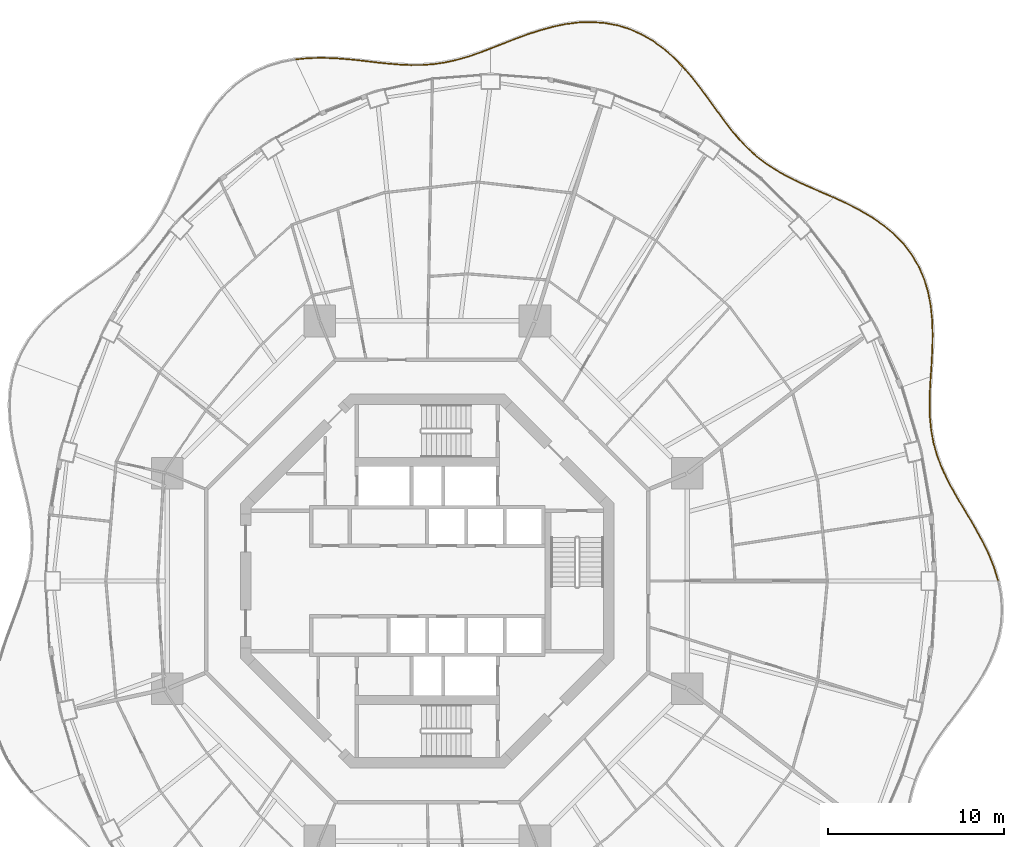
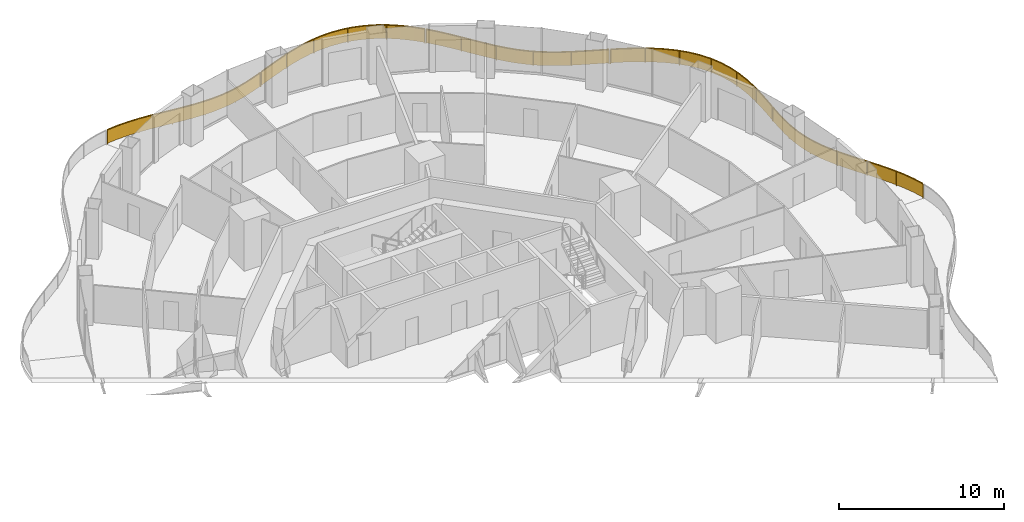
# One storey, part 19 of 19: 5 railings.
"""IFC4 building model written with IfcOpenShell, lengths in metres."""

from ifc_helpers import new_model, si_unit, direction, frame, origin, origin_2d, place, context, subcontext, project, spatial, polyline, rectangle, outline, extrude, material, type_object, element, save


model = new_model("IFC4")

# Units and contexts
model_context = context("Model", 3, precision=1e-05, world=origin(), true_north=direction((0.0, 1.0)))
body_context = subcontext(model_context, "Body", "Model", "MODEL_VIEW")
ifc_project = project(units=[si_unit("LENGTHUNIT", "METRE"), si_unit("AREAUNIT", "SQUARE_METRE"), si_unit("VOLUMEUNIT", "CUBIC_METRE"), si_unit("PLANEANGLEUNIT", "RADIAN"), si_unit("MASSUNIT", "GRAM", prefix="KILO")], contexts=[model_context])

# Site, building, storey
site_placement = place(None, origin())
site = spatial("IfcSite", under=ifc_project, at=site_placement, CompositionType="ELEMENT")
building_placement = place(site_placement, origin())
building = spatial("IfcBuilding", under=site, at=building_placement, Name="Nagisa Residences", CompositionType="ELEMENT")
storey_placement = place(building_placement, frame((0.0, 0.0, 180.699951171875)))
storey = spatial("IfcBuildingStorey", under=building, at=storey_placement, Name="L45", CompositionType="ELEMENT", Elevation=180.699951171875)

# Railings
ifc_material = material(Name="Stainless steel 316", Category="steel")
railing_type = type_object("IfcRailingType", Name="BALCONY GUARD 1100", PredefinedType="BALUSTRADE", material=ifc_material)
railing_1_placement = place(storey_placement, frame((32.43701171875, 0.037109375, 0.0)))
element("IfcRailing", 1, at=railing_1_placement, inside=storey, type_object=railing_type, Name="guard:L45:bal00-0", PredefinedType="BALUSTRADE", context=body_context, shape_type="SweptSolid", body=[
    extrude(outline(polyline([(-0.248046875, 0.724365234375), (-0.02392578125, -0.00732421875), (0.02392578125, 0.00732421875), (-0.20068359375, 0.740966796875), (-0.50927734375, 1.50732421875), (-0.87353515625, 2.257568359375), (-1.275146484375, 2.99072265625), (-1.695068359375, 3.70703125), (-2.112060546875, 4.39404296875), (-2.511474609375, 5.08349609375), (-2.875244140625, 5.765869140625), (-3.190673828125, 6.446533203125), (-3.448486328125, 7.131591796875), (-3.639892578125, 7.8134765625), (-3.771240234375, 8.524658203125), (-3.84326171875, 9.256103515625), (-3.863525390625, 10.010498046875), (-3.8447265625, 10.788818359375), (-3.8017578125, 11.54541015625), (-3.8515625, 11.54833984375), (-3.89453125, 10.790771484375), (-3.913818359375, 10.010498046875), (-3.89306640625, 9.253173828125), (-3.821044921875, 8.517822265625), (-3.688720703125, 7.80224609375), (-3.495849609375, 7.115966796875), (-3.237060546875, 6.427001953125), (-2.920166015625, 5.743408203125), (-2.555419921875, 5.05908203125), (-2.155029296875, 4.36865234375), (-1.738037109375, 3.68115234375), (-1.318603515625, 2.9658203125), (-0.91796875, 2.234619140625), (-0.55517578125, 1.48681640625), (-0.248046875, 0.724365234375)])), frame((0.0, 0.0, 1.050048828125)), (0.0, 0.0, 1.0), 0.050048828125),
    extrude(outline(polyline([(-0.23095703125, 0.730224609375), (-0.006591796875, -0.001953125), (0.006591796875, 0.001953125), (-0.2177734375, 0.735107421875), (-0.52587890625, 1.5), (-0.8896484375, 2.249267578125), (-1.290771484375, 2.981689453125), (-1.71044921875, 3.69775390625), (-2.12744140625, 4.385009765625), (-2.52734375, 5.07470703125), (-2.891357421875, 5.7578125), (-3.20751953125, 6.439453125), (-3.465576171875, 7.1259765625), (-3.657470703125, 7.809326171875), (-3.789306640625, 8.522216796875), (-3.861083984375, 9.255126953125), (-3.881591796875, 10.010498046875), (-3.862548828125, 10.78955078125), (-3.819580078125, 11.54638671875), (-3.833740234375, 11.54736328125), (-3.876708984375, 10.7900390625), (-3.895751953125, 10.010498046875), (-3.875244140625, 9.254150390625), (-3.802978515625, 8.520263671875), (-3.671142578125, 7.806396484375), (-3.478759765625, 7.12158203125), (-3.22021484375, 6.43408203125), (-2.904052734375, 5.75146484375), (-2.53955078125, 5.06787109375), (-2.1396484375, 4.377685546875), (-1.72265625, 3.6904296875), (-1.302978515625, 2.974853515625), (-0.90185546875, 2.242919921875), (-0.53857421875, 1.494140625), (-0.23095703125, 0.730224609375)])), frame((0.0, 0.0, 0.06005859375)), (0.0, 0.0, 1.0), 0.989990234375),
    extrude(rectangle(XDim=0.0400390625, YDim=0.0400390625, at=origin_2d()), origin(), (0.0, 0.0, 1.0), 1.050048828125),
    extrude(rectangle(XDim=0.0400390625, YDim=0.0400390625, at=origin_2d()), frame((-0.741455078125, 1.927978515625, 0.0)), (0.0, 0.0, 1.0), 1.050048828125),
    extrude(rectangle(XDim=0.0400390625, YDim=0.0400390625, at=origin_2d()), frame((-1.7431640625, 3.73779296875, 0.0)), (0.0, 0.0, 1.0), 1.050048828125),
    extrude(rectangle(XDim=0.0400390625, YDim=0.0400390625, at=origin_2d()), frame((-2.777587890625, 5.529296875, 0.0)), (0.0, 0.0, 1.0), 1.050048828125),
    extrude(rectangle(XDim=0.0400390625, YDim=0.0400390625, at=origin_2d()), frame((-3.56103515625, 7.439697265625, 0.0)), (0.0, 0.0, 1.0), 1.050048828125),
    extrude(rectangle(XDim=0.0400390625, YDim=0.0400390625, at=origin_2d()), frame((-3.874267578125, 9.479248046875, 0.0)), (0.0, 0.0, 1.0), 1.050048828125),
    extrude(rectangle(XDim=0.0400390625, YDim=0.0400390625, at=origin_2d()), frame((-3.82666015625, 11.546875, 0.0)), (0.0, 0.0, 1.0), 1.050048828125),
])
railing_2_placement = place(storey_placement, frame((28.616943359375, 11.6591796875, 0.0)))
element("IfcRailing", 2, at=railing_2_placement, inside=storey, type_object=railing_type, Name="guard:L45:bal01-0", PredefinedType="BALUSTRADE", context=body_context, shape_type="SweptSolid", body=[
    extrude(outline(polyline([(0.024169921875, 0.75146484375), (-0.02490234375, 0.001708984375), (0.02490234375, -0.001708984375), (0.073974609375, 0.74853515625), (0.11474609375, 1.5556640625), (0.129638671875, 2.369140625), (0.1025390625, 3.180908203125), (0.02001953125, 3.98193359375), (-0.123779296875, 4.75), (-0.3505859375, 5.502197265625), (-0.658203125, 6.216552734375), (-1.048828125, 6.886474609375), (-1.51953125, 7.506103515625), (-2.056884765625, 8.060791015625), (-2.666259765625, 8.572265625), (-3.330078125, 9.032470703125), (-4.03369140625, 9.446044921875), (-4.76318359375, 9.819580078125), (-5.463623046875, 10.141357421875), (-5.484619140625, 10.095947265625), (-4.78515625, 9.774658203125), (-4.0576171875, 9.402099609375), (-3.35693359375, 8.990478515625), (-2.696533203125, 8.5322265625), (-2.091064453125, 8.024169921875), (-1.5576171875, 7.473388671875), (-1.09033203125, 6.858642578125), (-0.703125, 6.194091796875), (-0.3974609375, 5.485107421875), (-0.172607421875, 4.73828125), (-0.02978515625, 3.974609375), (0.052734375, 3.177490234375), (0.079345703125, 2.36865234375), (0.06494140625, 1.5576171875), (0.024169921875, 0.75146484375)])), frame((0.0, 0.0, 1.050048828125)), (0.0, 0.0, 1.0), 0.050048828125),
    extrude(outline(polyline([(0.0419921875, 0.75048828125), (-0.007080078125, 0.00048828125), (0.007080078125, -0.00048828125), (0.05615234375, 0.74951171875), (0.096923828125, 1.556396484375), (0.111572265625, 2.368896484375), (0.084716796875, 3.1796875), (0.001953125, 3.979248046875), (-0.141357421875, 4.745849609375), (-0.367431640625, 5.49609375), (-0.67431640625, 6.20849609375), (-1.063720703125, 6.87646484375), (-1.533203125, 7.494384765625), (-2.069091796875, 8.047607421875), (-2.67724609375, 8.557861328125), (-3.33984375, 9.017333984375), (-4.042236328125, 9.43017578125), (-4.77099609375, 9.803466796875), (-5.47119140625, 10.125), (-5.47705078125, 10.1123046875), (-4.77734375, 9.790771484375), (-4.049072265625, 9.41796875), (-3.34716796875, 9.005615234375), (-2.685546875, 8.546630859375), (-2.078857421875, 8.037353515625), (-1.5439453125, 7.485107421875), (-1.075439453125, 6.86865234375), (-0.68701171875, 6.2021484375), (-0.380615234375, 5.4912109375), (-0.155029296875, 4.742431640625), (-0.01171875, 3.977294921875), (0.070556640625, 3.1787109375), (0.097412109375, 2.368896484375), (0.082763671875, 1.556884765625), (0.0419921875, 0.75048828125)])), frame((0.0, 0.0, 0.06005859375)), (0.0, 0.0, 1.0), 0.989990234375),
    extrude(rectangle(XDim=0.0400390625, YDim=0.0400390625, at=origin_2d()), origin(), (0.0, 0.0, 1.0), 1.050048828125),
    extrude(rectangle(XDim=0.0400390625, YDim=0.0400390625, at=origin_2d()), frame((0.099609375, 2.104248046875, 0.0)), (0.0, 0.0, 1.0), 1.050048828125),
    extrude(rectangle(XDim=0.0400390625, YDim=0.0400390625, at=origin_2d()), frame((-0.046875, 4.202392578125, 0.0)), (0.0, 0.0, 1.0), 1.050048828125),
    extrude(rectangle(XDim=0.0400390625, YDim=0.0400390625, at=origin_2d()), frame((-0.679931640625, 6.20361328125, 0.0)), (0.0, 0.0, 1.0), 1.050048828125),
    extrude(rectangle(XDim=0.0400390625, YDim=0.0400390625, at=origin_2d()), frame((-1.926513671875, 7.89013671875, 0.0)), (0.0, 0.0, 1.0), 1.050048828125),
    extrude(rectangle(XDim=0.0400390625, YDim=0.0400390625, at=origin_2d()), frame((-3.598876953125, 9.16162109375, 0.0)), (0.0, 0.0, 1.0), 1.050048828125),
    extrude(rectangle(XDim=0.0400390625, YDim=0.0400390625, at=origin_2d()), frame((-5.47412109375, 10.11865234375, 0.0)), (0.0, 0.0, 1.0), 1.050048828125),
])
railing_3_placement = place(storey_placement, frame((23.072509765625, 21.8076171875, 0.0)))
element("IfcRailing", 3, at=railing_3_placement, inside=storey, type_object=railing_type, Name="guard:L45:bal02-0", PredefinedType="BALUSTRADE", context=body_context, shape_type="SweptSolid", body=[
    extrude(outline(polyline([(-0.67236328125, 0.265380859375), (-0.010009765625, -0.02294921875), (0.010009765625, 0.02294921875), (-0.65234375, 0.311279296875), (-1.342041015625, 0.612548828125), (-2.009033203125, 0.9169921875), (-2.646484375, 1.235107421875), (-3.24951171875, 1.576171875), (-3.80419921875, 1.93798828125), (-4.33544921875, 2.34765625), (-4.8349609375, 2.798828125), (-5.3076171875, 3.292236328125), (-5.760498046875, 3.826171875), (-6.188720703125, 4.3876953125), (-6.628662109375, 4.987060546875), (-7.075927734375, 5.60546875), (-7.539794921875, 6.230224609375), (-8.027587890625, 6.8486328125), (-8.513427734375, 7.411865234375), (-8.551513671875, 7.379150390625), (-8.066162109375, 6.81689453125), (-7.579345703125, 6.199951171875), (-7.116455078125, 5.57568359375), (-6.669189453125, 4.957763671875), (-6.228759765625, 4.35791015625), (-5.799560546875, 3.794921875), (-5.3447265625, 3.258544921875), (-4.86962890625, 2.7626953125), (-4.36767578125, 2.30908203125), (-3.8330078125, 1.89697265625), (-3.275390625, 1.533203125), (-2.669921875, 1.190673828125), (-2.030517578125, 0.87158203125), (-1.362548828125, 0.566650390625), (-0.67236328125, 0.265380859375)])), frame((0.0, 0.0, 1.050048828125)), (0.0, 0.0, 1.0), 0.050048828125),
    extrude(outline(polyline([(-0.6650390625, 0.281982421875), (-0.002685546875, -0.00634765625), (0.002685546875, 0.00634765625), (-0.65966796875, 0.294677734375), (-1.349365234375, 0.595947265625), (-2.016845703125, 0.900634765625), (-2.655029296875, 1.218994140625), (-3.2587890625, 1.560791015625), (-3.814453125, 1.923095703125), (-4.34716796875, 2.333740234375), (-4.847412109375, 2.785888671875), (-5.321044921875, 3.280029296875), (-5.774658203125, 3.81494140625), (-6.203125, 4.376953125), (-6.643310546875, 4.9765625), (-7.090576171875, 5.5947265625), (-7.553955078125, 6.21923828125), (-8.04150390625, 6.837158203125), (-8.527099609375, 7.400146484375), (-8.537841796875, 7.390869140625), (-8.05224609375, 6.828369140625), (-7.565185546875, 6.2109375), (-7.101806640625, 5.58642578125), (-6.654541015625, 4.96826171875), (-6.21435546875, 4.36865234375), (-5.785400390625, 3.80615234375), (-5.331298828125, 3.270751953125), (-4.857177734375, 2.775634765625), (-4.35595703125, 2.322998046875), (-3.82275390625, 1.911865234375), (-3.26611328125, 1.548583984375), (-2.661376953125, 1.206787109375), (-2.022705078125, 0.887939453125), (-1.355224609375, 0.583251953125), (-0.6650390625, 0.281982421875)])), frame((0.0, 0.0, 0.06005859375)), (0.0, 0.0, 1.0), 0.989990234375),
    extrude(rectangle(XDim=0.0400390625, YDim=0.0400390625, at=origin_2d()), origin(), (0.0, 0.0, 1.0), 1.050048828125),
    extrude(rectangle(XDim=0.0400390625, YDim=0.0400390625, at=origin_2d()), frame((-2.10791015625, 0.938232421875, 0.0)), (0.0, 0.0, 1.0), 1.050048828125),
    extrude(rectangle(XDim=0.0400390625, YDim=0.0400390625, at=origin_2d()), frame((-4.0830078125, 2.121337890625, 0.0)), (0.0, 0.0, 1.0), 1.050048828125),
    extrude(rectangle(XDim=0.0400390625, YDim=0.0400390625, at=origin_2d()), frame((-5.7197265625, 3.739501953125, 0.0)), (0.0, 0.0, 1.0), 1.050048828125),
    extrude(rectangle(XDim=0.0400390625, YDim=0.0400390625, at=origin_2d()), frame((-7.096435546875, 5.5908203125, 0.0)), (0.0, 0.0, 1.0), 1.050048828125),
    extrude(rectangle(XDim=0.0400390625, YDim=0.0400390625, at=origin_2d()), frame((-8.532470703125, 7.3955078125, 0.0)), (0.0, 0.0, 1.0), 1.050048828125),
])
railing_4_placement = place(storey_placement, frame((14.488525390625, 29.260498046875, 0.0)))
element("IfcRailing", 4, at=railing_4_placement, inside=storey, type_object=railing_type, Name="guard:L45:bal03-0", PredefinedType="BALUSTRADE", context=body_context, shape_type="SweptSolid", body=[
    extrude(outline(polyline([(-0.515380859375, 0.4912109375), (-0.017822265625, -0.017578125), (0.017822265625, 0.017578125), (-0.481201171875, 0.52783203125), (-1.05078125, 1.02392578125), (-1.6572265625, 1.462890625), (-2.299072265625, 1.835205078125), (-2.97314453125, 2.13232421875), (-3.65869140625, 2.34521484375), (-4.383544921875, 2.48095703125), (-5.124267578125, 2.5361328125), (-5.8740234375, 2.514404296875), (-6.62646484375, 2.42236328125), (-7.35791015625, 2.26708984375), (-8.097412109375, 2.06494140625), (-8.82421875, 1.826171875), (-9.534912109375, 1.564697265625), (-10.22900390625, 1.29443359375), (-10.863525390625, 1.04345703125), (-10.844970703125, 0.9970703125), (-10.2109375, 1.248046875), (-9.517333984375, 1.517822265625), (-8.8076171875, 1.77880859375), (-8.082763671875, 2.01708984375), (-7.34619140625, 2.21826171875), (-6.6181640625, 2.373046875), (-5.8701171875, 2.464599609375), (-5.125244140625, 2.48583984375), (-4.389892578125, 2.43115234375), (-3.6708984375, 2.29638671875), (-2.99072265625, 2.08544921875), (-2.322021484375, 1.790283203125), (-1.6845703125, 1.4208984375), (-1.08203125, 0.98486328125), (-0.515380859375, 0.4912109375)])), frame((0.0, 0.0, 1.050048828125)), (0.0, 0.0, 1.0), 0.050048828125),
    extrude(outline(polyline([(-0.503173828125, 0.50439453125), (-0.0048828125, -0.0048828125), (0.0048828125, 0.0048828125), (-0.493408203125, 0.5146484375), (-1.06201171875, 1.009765625), (-1.6669921875, 1.44775390625), (-2.307373046875, 1.819091796875), (-2.9794921875, 2.115478515625), (-3.6630859375, 2.32763671875), (-4.3857421875, 2.462890625), (-5.12451171875, 2.51806640625), (-5.87255859375, 2.49658203125), (-6.62353515625, 2.404541015625), (-7.353759765625, 2.24951171875), (-8.092041015625, 2.047607421875), (-8.818115234375, 1.80908203125), (-9.528564453125, 1.5478515625), (-10.222412109375, 1.27783203125), (-10.85693359375, 1.02685546875), (-10.8515625, 1.013671875), (-10.217529296875, 1.2646484375), (-9.523681640625, 1.53466796875), (-8.813720703125, 1.7958984375), (-8.088134765625, 2.034423828125), (-7.350341796875, 2.23583984375), (-6.62109375, 2.390869140625), (-5.87158203125, 2.482421875), (-5.125, 2.50390625), (-4.3876953125, 2.44921875), (-3.66650390625, 2.31396484375), (-2.984375, 2.102294921875), (-2.313720703125, 1.806396484375), (-1.6748046875, 1.43603515625), (-1.07080078125, 0.9990234375), (-0.503173828125, 0.50439453125)])), frame((0.0, 0.0, 0.06005859375)), (0.0, 0.0, 1.0), 0.989990234375),
    extrude(rectangle(XDim=0.0400390625, YDim=0.0400390625, at=origin_2d()), origin(), (0.0, 0.0, 1.0), 1.050048828125),
    extrude(rectangle(XDim=0.0400390625, YDim=0.0400390625, at=origin_2d()), frame((-1.80517578125, 1.519775390625, 0.0)), (0.0, 0.0, 1.0), 1.050048828125),
    extrude(rectangle(XDim=0.0400390625, YDim=0.0400390625, at=origin_2d()), frame((-3.993408203125, 2.38232421875, 0.0)), (0.0, 0.0, 1.0), 1.050048828125),
    extrude(rectangle(XDim=0.0400390625, YDim=0.0400390625, at=origin_2d()), frame((-6.34814453125, 2.43115234375, 0.0)), (0.0, 0.0, 1.0), 1.050048828125),
    extrude(rectangle(XDim=0.0400390625, YDim=0.0400390625, at=origin_2d()), frame((-8.64111328125, 1.85986328125, 0.0)), (0.0, 0.0, 1.0), 1.050048828125),
    extrude(rectangle(XDim=0.0400390625, YDim=0.0400390625, at=origin_2d()), frame((-10.854248046875, 1.020263671875, 0.0)), (0.0, 0.0, 1.0), 1.050048828125),
])
railing_5_placement = place(storey_placement, frame((3.5654296875, 30.252197265625, 0.0)))
element("IfcRailing", 5, at=railing_5_placement, inside=storey, type_object=railing_type, Name="guard:L45:bal04-0", PredefinedType="BALUSTRADE", context=body_context, shape_type="SweptSolid", body=[
    extrude(outline(polyline([(-0.611328125, -0.25732421875), (0.0087890625, -0.0234375), (-0.0087890625, 0.0234375), (-0.6279296875, -0.2099609375), (-1.278564453125, -0.4296875), (-1.921875, -0.612548828125), (-2.56201171875, -0.752685546875), (-3.204833984375, -0.847412109375), (-3.837646484375, -0.89404296875), (-4.5, -0.900390625), (-5.177978515625, -0.870361328125), (-5.873779296875, -0.8115234375), (-6.588134765625, -0.734619140625), (-7.303466796875, -0.646240234375), (-8.051025390625, -0.569580078125), (-8.809326171875, -0.512939453125), (-9.57275390625, -0.48828125), (-10.33447265625, -0.5087890625), (-11.039794921875, -0.57666015625), (-11.034912109375, -0.62646484375), (-10.33154296875, -0.55859375), (-9.57275390625, -0.53857421875), (-8.811767578125, -0.562744140625), (-8.055419921875, -0.619384765625), (-7.309326171875, -0.696044921875), (-6.593994140625, -0.784423828125), (-5.878662109375, -0.861328125), (-5.181396484375, -0.920166015625), (-4.5009765625, -0.95068359375), (-3.835693359375, -0.94384765625), (-3.199462890625, -0.897216796875), (-2.55322265625, -0.802001953125), (-1.90966796875, -0.660888671875), (-1.263916015625, -0.4775390625), (-0.611328125, -0.25732421875)])), frame((0.0, 0.0, 1.050048828125)), (0.0, 0.0, 1.0), 0.050048828125),
    extrude(outline(polyline([(-0.6171875, -0.240234375), (0.00244140625, -0.006591796875), (-0.00244140625, 0.006591796875), (-0.6220703125, -0.22705078125), (-1.2734375, -0.447021484375), (-1.91748046875, -0.6298828125), (-2.558837890625, -0.7705078125), (-3.202880859375, -0.865234375), (-3.8369140625, -0.911865234375), (-4.50048828125, -0.91845703125), (-5.17919921875, -0.88818359375), (-5.87548828125, -0.829345703125), (-6.59033203125, -0.752685546875), (-7.3056640625, -0.664306640625), (-8.052490234375, -0.58740234375), (-8.81005859375, -0.53076171875), (-9.57275390625, -0.50634765625), (-10.33349609375, -0.526611328125), (-11.0380859375, -0.594482421875), (-11.03662109375, -0.608642578125), (-10.33251953125, -0.540771484375), (-9.57275390625, -0.5205078125), (-8.81103515625, -0.544921875), (-8.053955078125, -0.6015625), (-7.30712890625, -0.677978515625), (-6.591796875, -0.766357421875), (-5.876953125, -0.843505859375), (-5.18017578125, -0.90234375), (-4.50048828125, -0.9326171875), (-3.83642578125, -0.926025390625), (-3.201416015625, -0.87939453125), (-2.556396484375, -0.7841796875), (-1.9140625, -0.6435546875), (-1.26904296875, -0.460205078125), (-0.6171875, -0.240234375)])), frame((0.0, 0.0, 0.06005859375)), (0.0, 0.0, 1.0), 0.989990234375),
    extrude(rectangle(XDim=0.0400390625, YDim=0.0400390625, at=origin_2d()), origin(), (0.0, 0.0, 1.0), 1.050048828125),
    extrude(rectangle(XDim=0.0400390625, YDim=0.0400390625, at=origin_2d()), frame((-2.12841796875, -0.683349609375, 0.0)), (0.0, 0.0, 1.0), 1.050048828125),
    extrude(rectangle(XDim=0.0400390625, YDim=0.0400390625, at=origin_2d()), frame((-4.34716796875, -0.924072265625, 0.0)), (0.0, 0.0, 1.0), 1.050048828125),
    extrude(rectangle(XDim=0.0400390625, YDim=0.0400390625, at=origin_2d()), frame((-6.57763671875, -0.760986328125, 0.0)), (0.0, 0.0, 1.0), 1.050048828125),
    extrude(rectangle(XDim=0.0400390625, YDim=0.0400390625, at=origin_2d()), frame((-8.8037109375, -0.538330078125, 0.0)), (0.0, 0.0, 1.0), 1.050048828125),
    extrude(rectangle(XDim=0.0400390625, YDim=0.0400390625, at=origin_2d()), frame((-11.037353515625, -0.6015625, 0.0)), (0.0, 0.0, 1.0), 1.050048828125),
])

save(model, "model.ifc")
